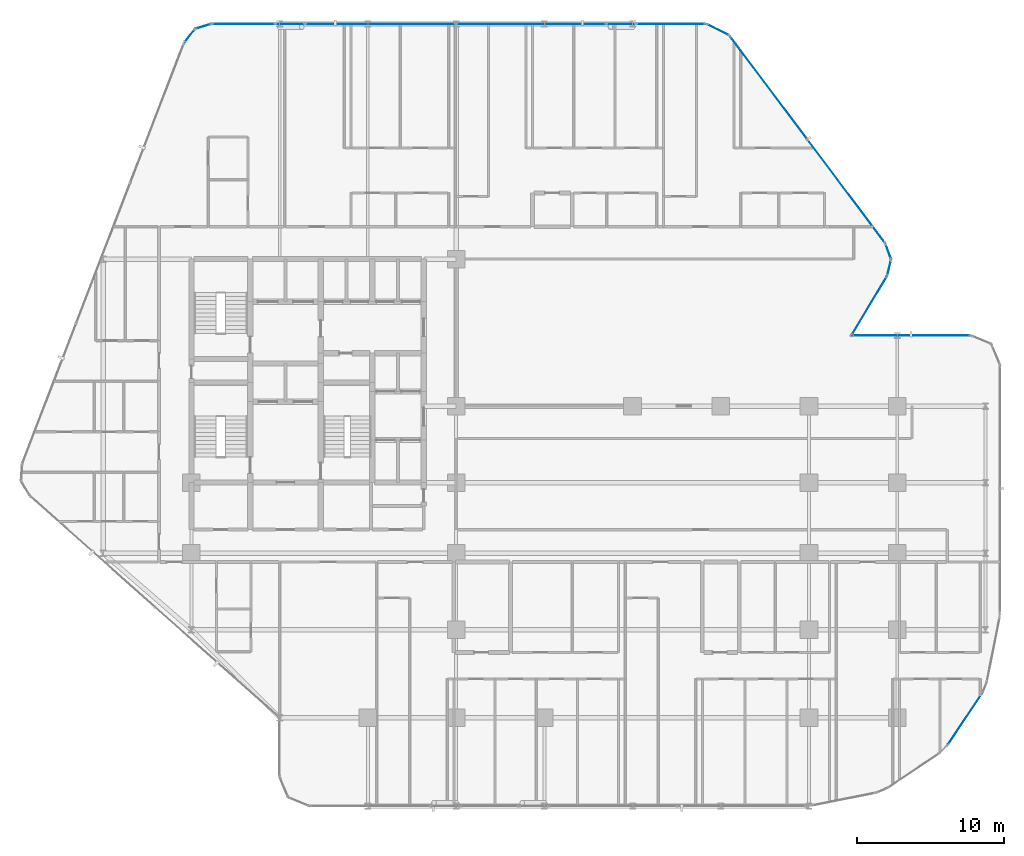
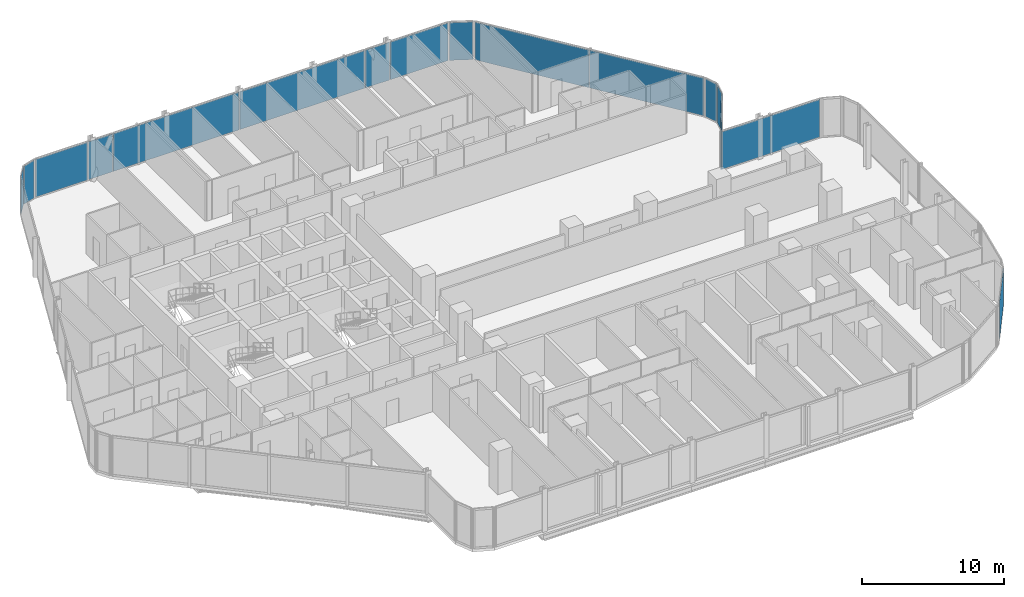
# One storey, part 24 of 34: 16 plates, 14 elements without a shape of their own.
"""IFC4 building model written with IfcOpenShell, lengths in metres."""

from ifc_helpers import new_model, si_unit, direction, frame, origin, origin_2d, place, context, subcontext, project, spatial, rectangle, extrude, material, layer, layer_set, type_object, element, aggregate, save


model = new_model("IFC4")

# Units and contexts
model_context = context("Model", 3, precision=1e-05, world=origin(), true_north=direction((0.0, 1.0)))
body_context = subcontext(model_context, "Body", "Model", "MODEL_VIEW")
ifc_project = project(units=[si_unit("LENGTHUNIT", "METRE"), si_unit("AREAUNIT", "SQUARE_METRE"), si_unit("VOLUMEUNIT", "CUBIC_METRE"), si_unit("PLANEANGLEUNIT", "RADIAN"), si_unit("MASSUNIT", "GRAM", prefix="KILO")], contexts=[model_context])

# Site, building, storey
site_placement = place(None, origin())
site = spatial("IfcSite", under=ifc_project, at=site_placement, CompositionType="ELEMENT")
building_placement = place(site_placement, origin())
building = spatial("IfcBuilding", under=site, at=building_placement, Name="Keshet Zoharim Tower", CompositionType="ELEMENT")
storey_placement = place(building_placement, frame((0.0, 0.0, 53.60009765625)))
storey = spatial("IfcBuildingStorey", under=building, at=storey_placement, Name="L12", CompositionType="ELEMENT", Elevation=53.60009765625)

# Curtain wall, plate
ifc_material_1 = material(Name="Aluminium 6063-T6", Category="aluminium")
ifc_layer_1 = layer(ifc_material_1, 0.179931640625)
ifc_layer_set_1 = layer_set([ifc_layer_1], Name="Aluminium 6063-T6")
curtain_wall_type_1 = type_object("IfcCurtainWallType", Name="CW-SYS-01", PredefinedType="NOTDEFINED", material=ifc_layer_set_1)
curtain_wall_1_placement = place(storey_placement, origin())
curtain_wall_1 = element("IfcCurtainWall", 1, at=curtain_wall_1_placement, inside=storey, type_object=curtain_wall_type_1, Name="L12 Unitised Curtain Wall 05", PredefinedType="NOTDEFINED")
ifc_material_2 = material(Name="Insulated Low-E Clear Glass", Category="glass")
ifc_layer_2 = layer(ifc_material_2, 0.035888671875)
ifc_layer_set_2 = layer_set([ifc_layer_2], Name="Insulated Low-E Clear Glass")
plate_type_1 = type_object("IfcPlateType", Name="CWP-01", PredefinedType="CURTAIN_PANEL", material=ifc_layer_set_2)
plate_1_placement = place(storey_placement, frame((14.8740234375, 53.08349609375, 0.06982421875), z_axis=(0.0, 0.0, 1.0), x_axis=(0.619124525989, 0.785292825205, 0.0)))
plate_1 = element("IfcPlate", 2, at=plate_1_placement, type_object=plate_type_1, Name="CW-01 panel 1.1", PredefinedType="CURTAIN_PANEL", context=body_context, shape_type="SweptSolid", body=[
    extrude(rectangle(XDim=1.045654296875, YDim=0.035888671875, at=origin_2d()), origin(), (0.0, 0.0, 1.0), 3.2451171875),
])
aggregate(curtain_wall_1, [plate_1])

curtain_wall_2_placement = place(storey_placement, origin())
curtain_wall_2 = element("IfcCurtainWall", 3, at=curtain_wall_2_placement, inside=storey, type_object=curtain_wall_type_1, Name="L12 Unitised Curtain Wall 06", PredefinedType="NOTDEFINED")
plate_2_placement = place(storey_placement, frame((15.8076171875, 53.724609375, 0.06982421875), z_axis=(0.0, 0.0, 1.0), x_axis=(0.955212151288, 0.295921857984, 0.0)))
plate_2 = element("IfcPlate", 4, at=plate_2_placement, type_object=plate_type_1, Name="CW-01 panel 1.1", PredefinedType="CURTAIN_PANEL", context=body_context, shape_type="SweptSolid", body=[
    extrude(rectangle(XDim=1.046142578125, YDim=0.035888671875, at=origin_2d()), origin(), (0.0, 0.0, 1.0), 3.2451171875),
])
aggregate(curtain_wall_2, [plate_2])

curtain_wall_3_placement = place(storey_placement, origin())
curtain_wall_3 = element("IfcCurtainWall", 5, at=curtain_wall_3_placement, inside=storey, type_object=curtain_wall_type_1, Name="L12 Unitised Curtain Wall 12", PredefinedType="NOTDEFINED")
plate_3_placement = place(storey_placement, frame((61.093994140625, 34.723388671875, 0.06982421875), z_axis=(0.0, 0.0, 1.0), x_axis=(-0.51446459506, -0.857511621163, 0.0)))
plate_3 = element("IfcPlate", 6, at=plate_3_placement, type_object=plate_type_1, Name="CW-01 panel 1.1", PredefinedType="CURTAIN_PANEL", context=body_context, shape_type="SweptSolid", body=[
    extrude(rectangle(XDim=4.57958984375, YDim=0.035888671875, at=origin_2d()), origin(), (0.0, 0.0, 1.0), 3.2451171875),
])
aggregate(curtain_wall_3, [plate_3])

curtain_wall_4_placement = place(storey_placement, origin())
curtain_wall_4 = element("IfcCurtainWall", 7, at=curtain_wall_4_placement, inside=storey, type_object=curtain_wall_type_1, Name="L12 Unitised Curtain Wall 20", PredefinedType="NOTDEFINED")
plate_4_placement = place(storey_placement, frame((67.60107421875, 6.615966796875, 0.06982421875), z_axis=(0.0, 0.0, 1.0), x_axis=(-0.555563243758, -0.831474282335, 0.0)))
plate_4 = element("IfcPlate", 8, at=plate_4_placement, type_object=plate_type_1, Name="CW-01 panel 1.1", PredefinedType="CURTAIN_PANEL", context=body_context, shape_type="SweptSolid", body=[
    extrude(rectangle(XDim=4.13671875, YDim=0.035888671875, at=origin_2d()), origin(), (0.0, 0.0, 1.0), 3.2451171875),
])
aggregate(curtain_wall_4, [plate_4])

ifc_layer_3 = layer(ifc_material_1, 0.169921875)
ifc_layer_set_3 = layer_set([ifc_layer_3], Name="Aluminium 6063-T6")
curtain_wall_type_2 = type_object("IfcCurtainWallType", Name="CW-SYS-02", PredefinedType="NOTDEFINED", material=ifc_layer_set_3)
curtain_wall_5_placement = place(storey_placement, origin())
curtain_wall_5 = element("IfcCurtainWall", 9, at=curtain_wall_5_placement, inside=storey, type_object=curtain_wall_type_2, Name="L12 Unitised Curtain Wall 07", PredefinedType="NOTDEFINED")
ifc_layer_4 = layer(ifc_material_2, 0.031982421875)
ifc_layer_set_4 = layer_set([ifc_layer_4], Name="Insulated Low-E Clear Glass")
plate_type_2 = type_object("IfcPlateType", Name="CWP-02", PredefinedType="CURTAIN_PANEL", material=ifc_layer_set_4)
plate_5_placement = place(storey_placement, frame((18.5556640625, 53.89990234375, 0.06982421875), z_axis=(0.0, 0.0, 1.0), x_axis=(1.0, 0.0, 0.0)))
plate_5 = element("IfcPlate", 10, at=plate_5_placement, type_object=plate_type_2, Name="CW-02 panel 1.1", PredefinedType="CURTAIN_PANEL", context=body_context, shape_type="SweptSolid", body=[
    extrude(rectangle(XDim=4.223388671875, YDim=0.031982421875, at=origin_2d()), origin(), (0.0, 0.0, 1.0), 3.2451171875),
])
aggregate(curtain_wall_5, [plate_5])

# Curtain wall, plates
curtain_wall_6_placement = place(storey_placement, origin())
curtain_wall_6 = element("IfcCurtainWall", 11, at=curtain_wall_6_placement, inside=storey, type_object=curtain_wall_type_2, Name="L12 Unitised Curtain Wall 07 Part 3", PredefinedType="NOTDEFINED")
plate_6_placement = place(storey_placement, frame((27.86376953125, 53.89990234375, 0.06982421875), z_axis=(0.0, 0.0, 1.0), x_axis=(1.0, 0.0, 0.0)))
plate_6 = element("IfcPlate", 12, at=plate_6_placement, type_object=plate_type_2, Name="CW-02 panel 1.1", PredefinedType="CURTAIN_PANEL", context=body_context, shape_type="SweptSolid", body=[
    extrude(rectangle(XDim=10.202392578125, YDim=0.031982421875, at=origin_2d()), origin(), (0.0, 0.0, 1.0), 3.2451171875),
])
plate_7_placement = place(storey_placement, frame((38.101318359375, 53.89990234375, 0.06982421875), z_axis=(0.0, 0.0, 1.0), x_axis=(1.0, 0.0, 0.0)))
plate_7 = element("IfcPlate", 13, at=plate_7_placement, type_object=plate_type_2, Name="CW-02 panel 2.1", PredefinedType="CURTAIN_PANEL", context=body_context, shape_type="SweptSolid", body=[
    extrude(rectangle(XDim=10.13232421875, YDim=0.031982421875, at=origin_2d()), origin(), (0.0, 0.0, 1.0), 3.2451171875),
])
aggregate(curtain_wall_6, [plate_6, plate_7])

# Curtain wall, plate
curtain_wall_7_placement = place(storey_placement, origin())
curtain_wall_7 = element("IfcCurtainWall", 14, at=curtain_wall_7_placement, inside=storey, type_object=curtain_wall_type_2, Name="L12 Unitised Curtain Wall 07 Part 5", PredefinedType="NOTDEFINED")
plate_8_placement = place(storey_placement, frame((47.59619140625, 53.89990234375, 0.06982421875), z_axis=(0.0, 0.0, 1.0), x_axis=(1.0, 0.0, 0.0)))
plate_8 = element("IfcPlate", 15, at=plate_8_placement, type_object=plate_type_2, Name="CW-02 panel 1.1", PredefinedType="CURTAIN_PANEL", context=body_context, shape_type="SweptSolid", body=[
    extrude(rectangle(XDim=4.66748046875, YDim=0.031982421875, at=origin_2d()), origin(), (0.0, 0.0, 1.0), 3.2451171875),
])
aggregate(curtain_wall_7, [plate_8])

curtain_wall_8_placement = place(storey_placement, origin())
curtain_wall_8 = element("IfcCurtainWall", 16, at=curtain_wall_8_placement, inside=storey, type_object=curtain_wall_type_2, Name="L12 Unitised Curtain Wall 08", PredefinedType="NOTDEFINED")
plate_9_placement = place(storey_placement, frame((50.800048828125, 53.5, 0.06982421875), z_axis=(0.0, 0.0, 1.0), x_axis=(0.894427191001, -0.447213595499, 0.0)))
plate_9 = element("IfcPlate", 17, at=plate_9_placement, type_object=plate_type_2, Name="CW-02 panel 1.1", PredefinedType="CURTAIN_PANEL", context=body_context, shape_type="SweptSolid", body=[
    extrude(rectangle(XDim=1.64892578125, YDim=0.031982421875, at=origin_2d()), origin(), (0.0, 0.0, 1.0), 3.2451171875),
])
aggregate(curtain_wall_8, [plate_9])

# Curtain wall, plates
curtain_wall_9_placement = place(storey_placement, origin())
curtain_wall_9 = element("IfcCurtainWall", 18, at=curtain_wall_9_placement, inside=storey, type_object=curtain_wall_type_2, Name="L12 Unitised Curtain Wall 09", PredefinedType="NOTDEFINED")
plate_10_placement = place(storey_placement, frame((54.2587890625, 49.554931640625, 0.06982421875), z_axis=(0.0, 0.0, 1.0), x_axis=(0.600000000002, -0.799999999998, 0.0)))
plate_10 = element("IfcPlate", 19, at=plate_10_placement, type_object=plate_type_2, Name="CW-02 panel 1.1", PredefinedType="CURTAIN_PANEL", context=body_context, shape_type="SweptSolid", body=[
    extrude(rectangle(XDim=8.722412109375, YDim=0.031982421875, at=origin_2d()), origin(), (0.0, 0.0, 1.0), 3.2451171875),
])
plate_11_placement = place(storey_placement, frame((59.5341796875, 42.52099609375, 0.06982421875), z_axis=(0.0, 0.0, 1.0), x_axis=(0.600000000002, -0.799999999998, 0.0)))
plate_11 = element("IfcPlate", 20, at=plate_11_placement, type_object=plate_type_2, Name="CW-02 panel 2.1", PredefinedType="CURTAIN_PANEL", context=body_context, shape_type="SweptSolid", body=[
    extrude(rectangle(XDim=8.722412109375, YDim=0.031982421875, at=origin_2d()), origin(), (0.0, 0.0, 1.0), 3.2451171875),
])
aggregate(curtain_wall_9, [plate_10, plate_11])

# Curtain wall, plate
curtain_wall_10_placement = place(storey_placement, origin())
curtain_wall_10 = element("IfcCurtainWall", 21, at=curtain_wall_10_placement, inside=storey, type_object=curtain_wall_type_2, Name="L12 Unitised Curtain Wall 10", PredefinedType="NOTDEFINED")
plate_12_placement = place(storey_placement, frame((62.3916015625, 38.427490234375, 0.06982421875), z_axis=(0.0, 0.0, 1.0), x_axis=(0.340297354046, -0.940317877544, 0.0)))
plate_12 = element("IfcPlate", 22, at=plate_12_placement, type_object=plate_type_2, Name="CW-02 panel 1.1", PredefinedType="CURTAIN_PANEL", context=body_context, shape_type="SweptSolid", body=[
    extrude(rectangle(XDim=1.026611328125, YDim=0.031982421875, at=origin_2d()), origin(), (0.0, 0.0, 1.0), 3.2451171875),
])
aggregate(curtain_wall_10, [plate_12])

curtain_wall_11_placement = place(storey_placement, origin())
curtain_wall_11 = element("IfcCurtainWall", 23, at=curtain_wall_11_placement, inside=storey, type_object=curtain_wall_type_2, Name="L12 Unitised Curtain Wall 11", PredefinedType="NOTDEFINED")
plate_13_placement = place(storey_placement, frame((62.448974609375, 37.31298828125, 0.06982421875), z_axis=(0.0, 0.0, 1.0), x_axis=(-0.241728770141, -0.970343857447, 0.0)))
plate_13 = element("IfcPlate", 24, at=plate_13_placement, type_object=plate_type_2, Name="CW-02 panel 1.1", PredefinedType="CURTAIN_PANEL", context=body_context, shape_type="SweptSolid", body=[
    extrude(rectangle(XDim=1.026611328125, YDim=0.031982421875, at=origin_2d()), origin(), (0.0, 0.0, 1.0), 3.2451171875),
])
aggregate(curtain_wall_11, [plate_13])

curtain_wall_12_placement = place(storey_placement, origin())
curtain_wall_12 = element("IfcCurtainWall", 25, at=curtain_wall_12_placement, inside=storey, type_object=curtain_wall_type_2, Name="L12 Unitised Curtain Wall 13", PredefinedType="NOTDEFINED")
plate_14_placement = place(storey_placement, frame((63.93994140625, 32.699951171875, 0.06982421875), z_axis=(0.0, 0.0, 1.0), x_axis=(1.0, 0.0, 0.0)))
plate_14 = element("IfcPlate", 26, at=plate_14_placement, type_object=plate_type_2, Name="CW-02 panel 1.1", PredefinedType="CURTAIN_PANEL", context=body_context, shape_type="SweptSolid", body=[
    extrude(rectangle(XDim=7.97998046875, YDim=0.031982421875, at=origin_2d()), origin(), (0.0, 0.0, 1.0), 3.2451171875),
])
aggregate(curtain_wall_12, [plate_14])

curtain_wall_13_placement = place(storey_placement, origin())
curtain_wall_13 = element("IfcCurtainWall", 27, at=curtain_wall_13_placement, inside=storey, type_object=curtain_wall_type_2, Name="L12 Unitised Curtain Wall 07 Part 2", PredefinedType="NOTDEFINED")
ifc_material_3 = material(Name="Insulated Aluminium Spandrel Panel", Category="aluminium")
ifc_layer_5 = layer(ifc_material_3, 0.031982421875)
ifc_layer_set_5 = layer_set([ifc_layer_5], Name="Insulated Aluminium Spandrel Panel")
plate_type_3 = type_object("IfcPlateType", Name="CWP-05", PredefinedType="CURTAIN_PANEL", material=ifc_layer_set_5)
plate_15_placement = place(storey_placement, frame((21.715087890625, 53.89990234375, 0.06982421875), z_axis=(0.0, 0.0, 1.0), x_axis=(1.0, 0.0, 0.0)))
plate_15 = element("IfcPlate", 28, at=plate_15_placement, type_object=plate_type_3, Name="CW-02 spandrel panel 1.1", PredefinedType="CURTAIN_PANEL", context=body_context, shape_type="SweptSolid", body=[
    extrude(rectangle(XDim=1.955078125, YDim=0.031982421875, at=origin_2d()), origin(), (0.0, 0.0, 1.0), 3.2451171875),
])
aggregate(curtain_wall_13, [plate_15])

curtain_wall_14_placement = place(storey_placement, origin())
curtain_wall_14 = element("IfcCurtainWall", 29, at=curtain_wall_14_placement, inside=storey, type_object=curtain_wall_type_2, Name="L12 Unitised Curtain Wall 07 Part 4", PredefinedType="NOTDEFINED")
plate_16_placement = place(storey_placement, frame((44.215087890625, 53.89990234375, 0.06982421875), z_axis=(0.0, 0.0, 1.0), x_axis=(1.0, 0.0, 0.0)))
plate_16 = element("IfcPlate", 30, at=plate_16_placement, type_object=plate_type_3, Name="CW-02 spandrel panel 1.1", PredefinedType="CURTAIN_PANEL", context=body_context, shape_type="SweptSolid", body=[
    extrude(rectangle(XDim=1.955078125, YDim=0.031982421875, at=origin_2d()), origin(), (0.0, 0.0, 1.0), 3.2451171875),
])
aggregate(curtain_wall_14, [plate_16])

save(model, "model.ifc")
